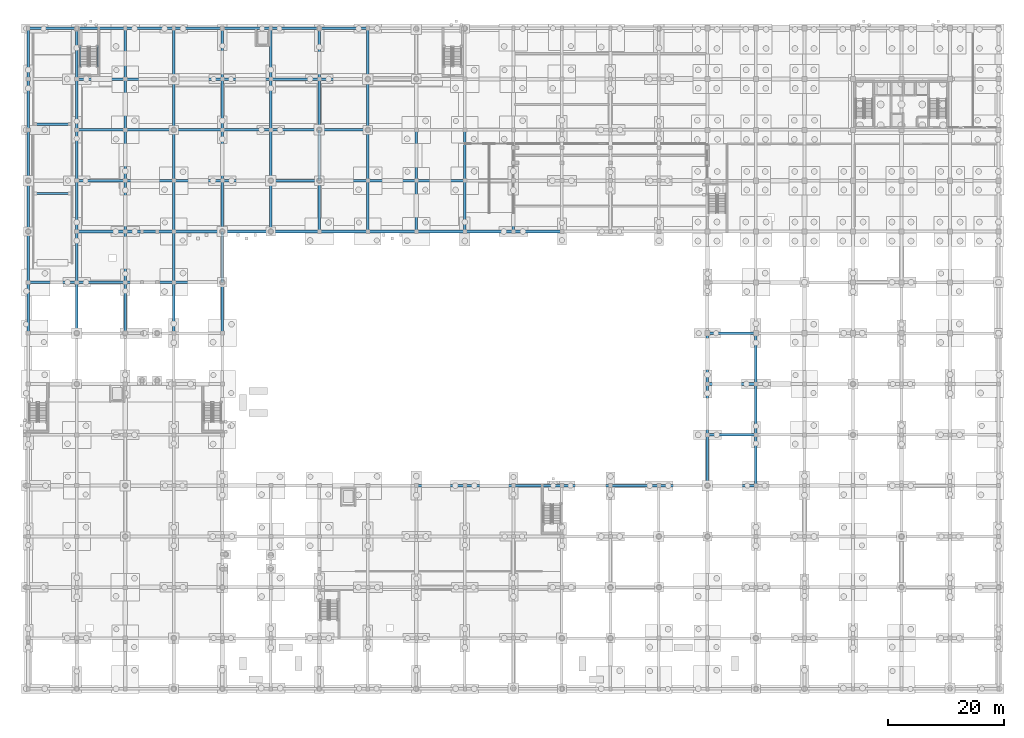
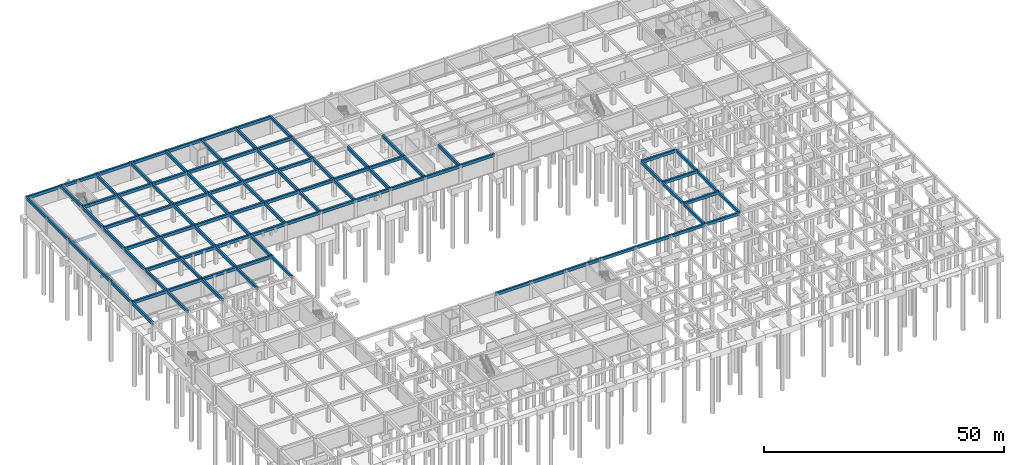
# One storey, part 16 of 41: 106 beams, 2 members.
"""IFC4 building model written with IfcOpenShell, lengths in metres."""

from ifc_helpers import new_model, si_unit, direction, frame, origin, origin_2d, place, context, subcontext, project, spatial, rectangle, hollow_rectangle, extrude, material, material_profile, profile_set, type_object, element, save


model = new_model("IFC4")

# Units and contexts
model_context = context("Model", 3, precision=1e-05, world=origin(), true_north=direction((0.0, 1.0)))
body_context = subcontext(model_context, "Body", "Model", "MODEL_VIEW")
ifc_project = project(units=[si_unit("LENGTHUNIT", "METRE"), si_unit("AREAUNIT", "SQUARE_METRE"), si_unit("VOLUMEUNIT", "CUBIC_METRE"), si_unit("PLANEANGLEUNIT", "RADIAN"), si_unit("MASSUNIT", "GRAM", prefix="KILO")], contexts=[model_context])

# Site, building, storey
site_placement = place(None, origin())
site = spatial("IfcSite", under=ifc_project, at=site_placement, CompositionType="ELEMENT")
building_placement = place(site_placement, origin())
building = spatial("IfcBuilding", under=site, at=building_placement, Name="Kemercrest Conservatory and Botanical Centre", CompositionType="ELEMENT")
storey_placement = place(building_placement, frame((0.0, 0.0, -4.5)))
storey = spatial("IfcBuildingStorey", under=building, at=storey_placement, Name="B1", CompositionType="ELEMENT", Elevation=-4.5)

# Beams
ifc_material_1 = material(Name="Concrete C40/50", Category="concrete")
ifc_material_profile_1 = material_profile(ifc_material_1, rectangle(XDim=0.39990234375, YDim=0.64990234375, at=origin_2d()), Name="RC 400x650")
ifc_profile_set_1 = profile_set([ifc_material_profile_1], Name="Concrete C40/50")
beam_type_1 = type_object("IfcBeamType", Name="BM-RC65", PredefinedType="BEAM", material=ifc_profile_set_1)
for number, where, z_axis, x_axis, name in (
    (1, (9.25, 93.800048828125, 0.875), (1.0, 0.0, 0.0), (0.0, 1.0, 0.0), "Vehicle ramp R1 transverse support beam 1"),
    (2, (9.25, 105.800048828125, 2.375), (1.0, 0.0, 0.0), (0.0, 1.0, 0.0), "Vehicle ramp R1 transverse support beam 2"),
):
    element("IfcBeam", number, at=place(storey_placement, frame(where, z_axis=z_axis, x_axis=x_axis)), inside=storey, type_object=beam_type_1, Name=name, PredefinedType="BEAM", context=body_context, shape_type="SweptSolid", body=[
        extrude(rectangle(XDim=0.39990234375, YDim=0.64990234375, at=origin_2d()), origin(), (0.0, 0.0, 1.0), 5.89990234375),
    ])
ifc_material_profile_2 = material_profile(ifc_material_1, rectangle(XDim=0.449951171875, YDim=0.75, at=origin_2d()), Name="RC 450x750")
ifc_profile_set_2 = profile_set([ifc_material_profile_2], Name="Concrete C40/50")
beam_type_2 = type_object("IfcBeamType", Name="BM-RC75", PredefinedType="BEAM", material=ifc_profile_set_2)
beam_1_placement = place(storey_placement, frame((75.199951171875, 43.199951171875, 4.125), z_axis=(1.0, 0.0, 0.0), x_axis=(0.0, 1.0, 0.0)))
element("IfcBeam", 3, at=beam_1_placement, inside=storey, type_object=beam_type_2, Name="B1 girder 09-10 on E", PredefinedType="BEAM", context=body_context, shape_type="SweptSolid", body=[
    extrude(rectangle(XDim=0.449951171875, YDim=0.75, at=origin_2d()), origin(), (0.0, 0.0, 1.0), 8.400146484375),
])
for number, where, z_axis, x_axis, name in (
    (4, (83.60009765625, 43.199951171875, 4.125), (1.0, 0.0, 0.0), (0.0, 1.0, 0.0), "B1 girder 10-11 on E"),
    (5, (92.0, 43.199951171875, 4.125), (1.0, 0.0, 0.0), (0.0, 1.0, 0.0), "B1 girder 11-12 on E"),
):
    element("IfcBeam", number, at=place(storey_placement, frame(where, z_axis=z_axis, x_axis=x_axis)), inside=storey, type_object=beam_type_2, Name=name, PredefinedType="BEAM", context=body_context, shape_type="SweptSolid", body=[
        extrude(rectangle(XDim=0.449951171875, YDim=0.75, at=origin_2d()), origin(), (0.0, 0.0, 1.0), 8.39990234375),
    ])
beam_2_placement = place(storey_placement, frame((100.39990234375, 43.199951171875, 4.125), z_axis=(1.0, 0.0, 0.0), x_axis=(0.0, 1.0, 0.0)))
element("IfcBeam", 6, at=beam_2_placement, inside=storey, type_object=beam_type_2, Name="B1 girder 12-13 on E", PredefinedType="BEAM", context=body_context, shape_type="SweptSolid", body=[
    extrude(rectangle(XDim=0.449951171875, YDim=0.75, at=origin_2d()), origin(), (0.0, 0.0, 1.0), 8.400146484375),
])
beam_3_placement = place(storey_placement, frame((108.800048828125, 43.199951171875, 4.125), z_axis=(1.0, 0.0, 0.0), x_axis=(0.0, 1.0, 0.0)))
element("IfcBeam", 7, at=beam_3_placement, inside=storey, type_object=beam_type_2, Name="B1 girder 13-14 on E", PredefinedType="BEAM", context=body_context, shape_type="SweptSolid", body=[
    extrude(rectangle(XDim=0.449951171875, YDim=0.75, at=origin_2d()), origin(), (0.0, 0.0, 1.0), 8.39990234375),
])
beam_4_placement = place(storey_placement, frame((117.199951171875, 43.199951171875, 4.125), z_axis=(1.0, 0.0, 0.0), x_axis=(0.0, 1.0, 0.0)))
element("IfcBeam", 8, at=beam_4_placement, inside=storey, type_object=beam_type_2, Name="B1 girder 14-15 on E", PredefinedType="BEAM", context=body_context, shape_type="SweptSolid", body=[
    extrude(rectangle(XDim=0.449951171875, YDim=0.75, at=origin_2d()), origin(), (0.0, 0.0, 1.0), 8.400146484375),
])
for number, where, z_axis, x_axis, name in (
    (9, (125.60009765625, 43.199951171875, 4.125), (1.0, 0.0, 0.0), (0.0, 1.0, 0.0), "B1 girder 15-16 on E"),
    (10, (125.60009765625, 52.0, 4.125), (1.0, 0.0, 0.0), (0.0, 1.0, 0.0), "B1 girder 15-16 on F"),
    (11, (125.60009765625, 60.800048828125, 4.125), (1.0, 0.0, 0.0), (0.0, 1.0, 0.0), "B1 girder 15-16 on G"),
    (12, (125.60009765625, 69.60009765625, 4.125), (1.0, 0.0, 0.0), (0.0, 1.0, 0.0), "B1 girder 15-16 on H"),
    (13, (8.0, 78.39990234375, 4.125), (1.0, 0.0, 0.0), (0.0, 1.0, 0.0), "B1 girder 01-02 on J"),
):
    element("IfcBeam", number, at=place(storey_placement, frame(where, z_axis=z_axis, x_axis=x_axis)), inside=storey, type_object=beam_type_2, Name=name, PredefinedType="BEAM", context=body_context, shape_type="SweptSolid", body=[
        extrude(rectangle(XDim=0.449951171875, YDim=0.75, at=origin_2d()), origin(), (0.0, 0.0, 1.0), 8.39990234375),
    ])
beam_5_placement = place(storey_placement, frame((16.39990234375, 78.39990234375, 4.125), z_axis=(1.0, 0.0, 0.0), x_axis=(0.0, 1.0, 0.0)))
element("IfcBeam", 14, at=beam_5_placement, inside=storey, type_object=beam_type_2, Name="B1 girder 02-03 on J", PredefinedType="BEAM", context=body_context, shape_type="SweptSolid", body=[
    extrude(rectangle(XDim=0.449951171875, YDim=0.75, at=origin_2d()), origin(), (0.0, 0.0, 1.0), 8.400146484375),
])
beam_6_placement = place(storey_placement, frame((24.800048828125, 78.39990234375, 4.125), z_axis=(1.0, 0.0, 0.0), x_axis=(0.0, 1.0, 0.0)))
element("IfcBeam", 15, at=beam_6_placement, inside=storey, type_object=beam_type_2, Name="B1 girder 03-04 on J", PredefinedType="BEAM", context=body_context, shape_type="SweptSolid", body=[
    extrude(rectangle(XDim=0.449951171875, YDim=0.75, at=origin_2d()), origin(), (0.0, 0.0, 1.0), 8.39990234375),
])
for number, where, z_axis, x_axis, name in (
    (16, (33.199951171875, 78.39990234375, 4.125), (1.0, 0.0, 0.0), (0.0, 1.0, 0.0), "B1 girder 04-05 on J"),
    (17, (16.39990234375, 87.199951171875, 4.125), (1.0, 0.0, 0.0), (0.0, 1.0, 0.0), "B1 girder 02-03 on K"),
):
    element("IfcBeam", number, at=place(storey_placement, frame(where, z_axis=z_axis, x_axis=x_axis)), inside=storey, type_object=beam_type_2, Name=name, PredefinedType="BEAM", context=body_context, shape_type="SweptSolid", body=[
        extrude(rectangle(XDim=0.449951171875, YDim=0.75, at=origin_2d()), origin(), (0.0, 0.0, 1.0), 8.400146484375),
    ])
beam_7_placement = place(storey_placement, frame((24.800048828125, 87.199951171875, 4.125), z_axis=(1.0, 0.0, 0.0), x_axis=(0.0, 1.0, 0.0)))
element("IfcBeam", 18, at=beam_7_placement, inside=storey, type_object=beam_type_2, Name="B1 girder 03-04 on K", PredefinedType="BEAM", context=body_context, shape_type="SweptSolid", body=[
    extrude(rectangle(XDim=0.449951171875, YDim=0.75, at=origin_2d()), origin(), (0.0, 0.0, 1.0), 8.39990234375),
])
beam_8_placement = place(storey_placement, frame((33.199951171875, 87.199951171875, 4.125), z_axis=(1.0, 0.0, 0.0), x_axis=(0.0, 1.0, 0.0)))
element("IfcBeam", 19, at=beam_8_placement, inside=storey, type_object=beam_type_2, Name="B1 girder 04-05 on K", PredefinedType="BEAM", context=body_context, shape_type="SweptSolid", body=[
    extrude(rectangle(XDim=0.449951171875, YDim=0.75, at=origin_2d()), origin(), (0.0, 0.0, 1.0), 8.400146484375),
])
for number, where, z_axis, x_axis, name in (
    (20, (41.60009765625, 87.199951171875, 4.125), (1.0, 0.0, 0.0), (0.0, 1.0, 0.0), "B1 girder 05-06 on K"),
    (21, (50.0, 87.199951171875, 4.125), (1.0, 0.0, 0.0), (0.0, 1.0, 0.0), "B1 girder 06-07 on K"),
):
    element("IfcBeam", number, at=place(storey_placement, frame(where, z_axis=z_axis, x_axis=x_axis)), inside=storey, type_object=beam_type_2, Name=name, PredefinedType="BEAM", context=body_context, shape_type="SweptSolid", body=[
        extrude(rectangle(XDim=0.449951171875, YDim=0.75, at=origin_2d()), origin(), (0.0, 0.0, 1.0), 8.39990234375),
    ])
beam_9_placement = place(storey_placement, frame((58.39990234375, 87.199951171875, 4.125), z_axis=(1.0, 0.0, 0.0), x_axis=(0.0, 1.0, 0.0)))
element("IfcBeam", 22, at=beam_9_placement, inside=storey, type_object=beam_type_2, Name="B1 girder 07-08 on K", PredefinedType="BEAM", context=body_context, shape_type="SweptSolid", body=[
    extrude(rectangle(XDim=0.449951171875, YDim=0.75, at=origin_2d()), origin(), (0.0, 0.0, 1.0), 8.400146484375),
])
beam_10_placement = place(storey_placement, frame((66.800048828125, 87.199951171875, 4.125), z_axis=(1.0, 0.0, 0.0), x_axis=(0.0, 1.0, 0.0)))
element("IfcBeam", 23, at=beam_10_placement, inside=storey, type_object=beam_type_2, Name="B1 girder 08-09 on K", PredefinedType="BEAM", context=body_context, shape_type="SweptSolid", body=[
    extrude(rectangle(XDim=0.449951171875, YDim=0.75, at=origin_2d()), origin(), (0.0, 0.0, 1.0), 8.39990234375),
])
beam_11_placement = place(storey_placement, frame((75.199951171875, 87.199951171875, 4.125), z_axis=(1.0, 0.0, 0.0), x_axis=(0.0, 1.0, 0.0)))
element("IfcBeam", 24, at=beam_11_placement, inside=storey, type_object=beam_type_2, Name="B1 girder 09-10 on K", PredefinedType="BEAM", context=body_context, shape_type="SweptSolid", body=[
    extrude(rectangle(XDim=0.449951171875, YDim=0.75, at=origin_2d()), origin(), (0.0, 0.0, 1.0), 8.400146484375),
])
for number, where, z_axis, x_axis, name in (
    (25, (83.60009765625, 87.199951171875, 4.125), (1.0, 0.0, 0.0), (0.0, 1.0, 0.0), "B1 girder 10-11 on K"),
    (26, (92.0, 87.199951171875, 4.125), (1.0, 0.0, 0.0), (0.0, 1.0, 0.0), "B1 girder 11-12 on K"),
):
    element("IfcBeam", number, at=place(storey_placement, frame(where, z_axis=z_axis, x_axis=x_axis)), inside=storey, type_object=beam_type_2, Name=name, PredefinedType="BEAM", context=body_context, shape_type="SweptSolid", body=[
        extrude(rectangle(XDim=0.449951171875, YDim=0.75, at=origin_2d()), origin(), (0.0, 0.0, 1.0), 8.39990234375),
    ])
beam_12_placement = place(storey_placement, frame((16.39990234375, 96.0, 4.125), z_axis=(1.0, 0.0, 0.0), x_axis=(0.0, 1.0, 0.0)))
element("IfcBeam", 27, at=beam_12_placement, inside=storey, type_object=beam_type_2, Name="B1 girder 02-03 on L", PredefinedType="BEAM", context=body_context, shape_type="SweptSolid", body=[
    extrude(rectangle(XDim=0.449951171875, YDim=0.75, at=origin_2d()), origin(), (0.0, 0.0, 1.0), 8.400146484375),
])
beam_13_placement = place(storey_placement, frame((24.800048828125, 96.0, 4.125), z_axis=(1.0, 0.0, 0.0), x_axis=(0.0, 1.0, 0.0)))
element("IfcBeam", 28, at=beam_13_placement, inside=storey, type_object=beam_type_2, Name="B1 girder 03-04 on L", PredefinedType="BEAM", context=body_context, shape_type="SweptSolid", body=[
    extrude(rectangle(XDim=0.449951171875, YDim=0.75, at=origin_2d()), origin(), (0.0, 0.0, 1.0), 8.39990234375),
])
beam_14_placement = place(storey_placement, frame((33.199951171875, 96.0, 4.125), z_axis=(1.0, 0.0, 0.0), x_axis=(0.0, 1.0, 0.0)))
element("IfcBeam", 29, at=beam_14_placement, inside=storey, type_object=beam_type_2, Name="B1 girder 04-05 on L", PredefinedType="BEAM", context=body_context, shape_type="SweptSolid", body=[
    extrude(rectangle(XDim=0.449951171875, YDim=0.75, at=origin_2d()), origin(), (0.0, 0.0, 1.0), 8.400146484375),
])
for number, where, z_axis, x_axis, name in (
    (30, (41.60009765625, 96.0, 4.125), (1.0, 0.0, 0.0), (0.0, 1.0, 0.0), "B1 girder 05-06 on L"),
    (31, (50.0, 96.0, 4.125), (1.0, 0.0, 0.0), (0.0, 1.0, 0.0), "B1 girder 06-07 on L"),
):
    element("IfcBeam", number, at=place(storey_placement, frame(where, z_axis=z_axis, x_axis=x_axis)), inside=storey, type_object=beam_type_2, Name=name, PredefinedType="BEAM", context=body_context, shape_type="SweptSolid", body=[
        extrude(rectangle(XDim=0.449951171875, YDim=0.75, at=origin_2d()), origin(), (0.0, 0.0, 1.0), 8.39990234375),
    ])
beam_15_placement = place(storey_placement, frame((58.39990234375, 96.0, 4.125), z_axis=(1.0, 0.0, 0.0), x_axis=(0.0, 1.0, 0.0)))
element("IfcBeam", 32, at=beam_15_placement, inside=storey, type_object=beam_type_2, Name="B1 girder 07-08 on L", PredefinedType="BEAM", context=body_context, shape_type="SweptSolid", body=[
    extrude(rectangle(XDim=0.449951171875, YDim=0.75, at=origin_2d()), origin(), (0.0, 0.0, 1.0), 8.400146484375),
])
beam_16_placement = place(storey_placement, frame((66.800048828125, 96.0, 4.125), z_axis=(1.0, 0.0, 0.0), x_axis=(0.0, 1.0, 0.0)))
element("IfcBeam", 33, at=beam_16_placement, inside=storey, type_object=beam_type_2, Name="B1 girder 08-09 on L", PredefinedType="BEAM", context=body_context, shape_type="SweptSolid", body=[
    extrude(rectangle(XDim=0.449951171875, YDim=0.75, at=origin_2d()), origin(), (0.0, 0.0, 1.0), 8.39990234375),
])
for number, where, z_axis, x_axis, name in (
    (34, (75.199951171875, 96.0, 4.125), (1.0, 0.0, 0.0), (0.0, 1.0, 0.0), "B1 girder 09-10 on L"),
    (35, (16.39990234375, 104.800048828125, 4.125), (1.0, 0.0, 0.0), (0.0, 1.0, 0.0), "B1 girder 02-03 on M"),
):
    element("IfcBeam", number, at=place(storey_placement, frame(where, z_axis=z_axis, x_axis=x_axis)), inside=storey, type_object=beam_type_2, Name=name, PredefinedType="BEAM", context=body_context, shape_type="SweptSolid", body=[
        extrude(rectangle(XDim=0.449951171875, YDim=0.75, at=origin_2d()), origin(), (0.0, 0.0, 1.0), 8.400146484375),
    ])
beam_17_placement = place(storey_placement, frame((24.800048828125, 104.800048828125, 4.125), z_axis=(1.0, 0.0, 0.0), x_axis=(0.0, 1.0, 0.0)))
element("IfcBeam", 36, at=beam_17_placement, inside=storey, type_object=beam_type_2, Name="B1 girder 03-04 on M", PredefinedType="BEAM", context=body_context, shape_type="SweptSolid", body=[
    extrude(rectangle(XDim=0.449951171875, YDim=0.75, at=origin_2d()), origin(), (0.0, 0.0, 1.0), 8.39990234375),
])
beam_18_placement = place(storey_placement, frame((33.199951171875, 104.800048828125, 4.125), z_axis=(1.0, 0.0, 0.0), x_axis=(0.0, 1.0, 0.0)))
element("IfcBeam", 37, at=beam_18_placement, inside=storey, type_object=beam_type_2, Name="B1 girder 04-05 on M", PredefinedType="BEAM", context=body_context, shape_type="SweptSolid", body=[
    extrude(rectangle(XDim=0.449951171875, YDim=0.75, at=origin_2d()), origin(), (0.0, 0.0, 1.0), 8.400146484375),
])
for number, where, z_axis, x_axis, name in (
    (38, (41.60009765625, 104.800048828125, 4.125), (1.0, 0.0, 0.0), (0.0, 1.0, 0.0), "B1 girder 05-06 on M"),
    (39, (50.0, 104.800048828125, 4.125), (1.0, 0.0, 0.0), (0.0, 1.0, 0.0), "B1 girder 06-07 on M"),
):
    element("IfcBeam", number, at=place(storey_placement, frame(where, z_axis=z_axis, x_axis=x_axis)), inside=storey, type_object=beam_type_2, Name=name, PredefinedType="BEAM", context=body_context, shape_type="SweptSolid", body=[
        extrude(rectangle(XDim=0.449951171875, YDim=0.75, at=origin_2d()), origin(), (0.0, 0.0, 1.0), 8.39990234375),
    ])
for number, where, z_axis, x_axis, name in (
    (40, (58.39990234375, 104.800048828125, 4.125), (1.0, 0.0, 0.0), (0.0, 1.0, 0.0), "B1 girder 07-08 on M"),
    (41, (16.39990234375, 113.60009765625, 4.125), (1.0, 0.0, 0.0), (0.0, 1.0, 0.0), "B1 girder 02-03 on N"),
):
    element("IfcBeam", number, at=place(storey_placement, frame(where, z_axis=z_axis, x_axis=x_axis)), inside=storey, type_object=beam_type_2, Name=name, PredefinedType="BEAM", context=body_context, shape_type="SweptSolid", body=[
        extrude(rectangle(XDim=0.449951171875, YDim=0.75, at=origin_2d()), origin(), (0.0, 0.0, 1.0), 8.400146484375),
    ])
beam_19_placement = place(storey_placement, frame((24.800048828125, 113.60009765625, 4.125), z_axis=(1.0, 0.0, 0.0), x_axis=(0.0, 1.0, 0.0)))
element("IfcBeam", 42, at=beam_19_placement, inside=storey, type_object=beam_type_2, Name="B1 girder 03-04 on N", PredefinedType="BEAM", context=body_context, shape_type="SweptSolid", body=[
    extrude(rectangle(XDim=0.449951171875, YDim=0.75, at=origin_2d()), origin(), (0.0, 0.0, 1.0), 8.39990234375),
])
beam_20_placement = place(storey_placement, frame((33.199951171875, 113.60009765625, 4.125), z_axis=(1.0, 0.0, 0.0), x_axis=(0.0, 1.0, 0.0)))
element("IfcBeam", 43, at=beam_20_placement, inside=storey, type_object=beam_type_2, Name="B1 girder 04-05 on N", PredefinedType="BEAM", context=body_context, shape_type="SweptSolid", body=[
    extrude(rectangle(XDim=0.449951171875, YDim=0.75, at=origin_2d()), origin(), (0.0, 0.0, 1.0), 8.400146484375),
])
for number, where, z_axis, x_axis, name in (
    (44, (41.60009765625, 113.60009765625, 4.125), (1.0, 0.0, 0.0), (0.0, 1.0, 0.0), "B1 girder 05-06 on N"),
    (45, (50.0, 113.60009765625, 4.125), (1.0, 0.0, 0.0), (0.0, 1.0, 0.0), "B1 girder 06-07 on N"),
):
    element("IfcBeam", number, at=place(storey_placement, frame(where, z_axis=z_axis, x_axis=x_axis)), inside=storey, type_object=beam_type_2, Name=name, PredefinedType="BEAM", context=body_context, shape_type="SweptSolid", body=[
        extrude(rectangle(XDim=0.449951171875, YDim=0.75, at=origin_2d()), origin(), (0.0, 0.0, 1.0), 8.39990234375),
    ])
beam_21_placement = place(storey_placement, frame((58.39990234375, 113.60009765625, 4.125), z_axis=(1.0, 0.0, 0.0), x_axis=(0.0, 1.0, 0.0)))
element("IfcBeam", 46, at=beam_21_placement, inside=storey, type_object=beam_type_2, Name="B1 girder 07-08 on N", PredefinedType="BEAM", context=body_context, shape_type="SweptSolid", body=[
    extrude(rectangle(XDim=0.449951171875, YDim=0.75, at=origin_2d()), origin(), (0.0, 0.0, 1.0), 8.400146484375),
])
beam_22_placement = place(storey_placement, frame((8.0, 122.39990234375, 4.125), z_axis=(1.0, 0.0, 0.0), x_axis=(0.0, 1.0, 0.0)))
element("IfcBeam", 47, at=beam_22_placement, inside=storey, type_object=beam_type_2, Name="B1 girder 01-02 on P", PredefinedType="BEAM", context=body_context, shape_type="SweptSolid", body=[
    extrude(rectangle(XDim=0.449951171875, YDim=0.75, at=origin_2d()), origin(), (0.0, 0.0, 1.0), 8.39990234375),
])
beam_23_placement = place(storey_placement, frame((16.39990234375, 122.39990234375, 4.125), z_axis=(1.0, 0.0, 0.0), x_axis=(0.0, 1.0, 0.0)))
element("IfcBeam", 48, at=beam_23_placement, inside=storey, type_object=beam_type_2, Name="B1 girder 02-03 on P", PredefinedType="BEAM", context=body_context, shape_type="SweptSolid", body=[
    extrude(rectangle(XDim=0.449951171875, YDim=0.75, at=origin_2d()), origin(), (0.0, 0.0, 1.0), 8.400146484375),
])
beam_24_placement = place(storey_placement, frame((24.800048828125, 122.39990234375, 4.125), z_axis=(1.0, 0.0, 0.0), x_axis=(0.0, 1.0, 0.0)))
element("IfcBeam", 49, at=beam_24_placement, inside=storey, type_object=beam_type_2, Name="B1 girder 03-04 on P", PredefinedType="BEAM", context=body_context, shape_type="SweptSolid", body=[
    extrude(rectangle(XDim=0.449951171875, YDim=0.75, at=origin_2d()), origin(), (0.0, 0.0, 1.0), 8.39990234375),
])
beam_25_placement = place(storey_placement, frame((33.199951171875, 122.39990234375, 4.125), z_axis=(1.0, 0.0, 0.0), x_axis=(0.0, 1.0, 0.0)))
element("IfcBeam", 50, at=beam_25_placement, inside=storey, type_object=beam_type_2, Name="B1 girder 04-05 on P", PredefinedType="BEAM", context=body_context, shape_type="SweptSolid", body=[
    extrude(rectangle(XDim=0.449951171875, YDim=0.75, at=origin_2d()), origin(), (0.0, 0.0, 1.0), 8.400146484375),
])
for number, where, z_axis, x_axis, name in (
    (51, (41.60009765625, 122.39990234375, 4.125), (1.0, 0.0, 0.0), (0.0, 1.0, 0.0), "B1 girder 05-06 on P"),
    (52, (50.0, 122.39990234375, 4.125), (1.0, 0.0, 0.0), (0.0, 1.0, 0.0), "B1 girder 06-07 on P"),
):
    element("IfcBeam", number, at=place(storey_placement, frame(where, z_axis=z_axis, x_axis=x_axis)), inside=storey, type_object=beam_type_2, Name=name, PredefinedType="BEAM", context=body_context, shape_type="SweptSolid", body=[
        extrude(rectangle(XDim=0.449951171875, YDim=0.75, at=origin_2d()), origin(), (0.0, 0.0, 1.0), 8.39990234375),
    ])
beam_26_placement = place(storey_placement, frame((58.39990234375, 122.39990234375, 4.125), z_axis=(1.0, 0.0, 0.0), x_axis=(0.0, 1.0, 0.0)))
element("IfcBeam", 53, at=beam_26_placement, inside=storey, type_object=beam_type_2, Name="B1 girder 07-08 on P", PredefinedType="BEAM", context=body_context, shape_type="SweptSolid", body=[
    extrude(rectangle(XDim=0.449951171875, YDim=0.75, at=origin_2d()), origin(), (0.0, 0.0, 1.0), 8.400146484375),
])
beam_27_placement = place(storey_placement, frame((8.0, 69.60009765625, 4.125), z_axis=(0.0, 1.0, 0.0), x_axis=(-1.0, 0.0, 0.0)))
element("IfcBeam", 54, at=beam_27_placement, inside=storey, type_object=beam_type_2, Name="B1 girder H-J on 01", PredefinedType="BEAM", context=body_context, shape_type="SweptSolid", body=[
    extrude(rectangle(XDim=0.449951171875, YDim=0.75, at=origin_2d()), origin(), (0.0, 0.0, 1.0), 8.7998046875),
])
for number, where, z_axis, x_axis, name in (
    (55, (8.0, 78.39990234375, 4.125), (0.0, 1.0, 0.0), (-1.0, 0.0, 0.0), "B1 girder J-K on 01"),
    (56, (8.0, 87.199951171875, 4.125), (0.0, 1.0, 0.0), (-1.0, 0.0, 0.0), "B1 girder K-L on 01"),
    (57, (8.0, 96.0, 4.125), (0.0, 1.0, 0.0), (-1.0, 0.0, 0.0), "B1 girder L-M on 01"),
    (58, (8.0, 104.800048828125, 4.125), (0.0, 1.0, 0.0), (-1.0, 0.0, 0.0), "B1 girder M-N on 01"),
):
    element("IfcBeam", number, at=place(storey_placement, frame(where, z_axis=z_axis, x_axis=x_axis)), inside=storey, type_object=beam_type_2, Name=name, PredefinedType="BEAM", context=body_context, shape_type="SweptSolid", body=[
        extrude(rectangle(XDim=0.449951171875, YDim=0.75, at=origin_2d()), origin(), (0.0, 0.0, 1.0), 8.800048828125),
    ])
for number, where, z_axis, x_axis, name in (
    (59, (8.0, 113.60009765625, 4.125), (0.0, 1.0, 0.0), (-1.0, 0.0, 0.0), "B1 girder N-P on 01"),
    (60, (16.39990234375, 69.60009765625, 4.125), (0.0, 1.0, 0.0), (-1.0, 0.0, 0.0), "B1 girder H-J on 02"),
):
    element("IfcBeam", number, at=place(storey_placement, frame(where, z_axis=z_axis, x_axis=x_axis)), inside=storey, type_object=beam_type_2, Name=name, PredefinedType="BEAM", context=body_context, shape_type="SweptSolid", body=[
        extrude(rectangle(XDim=0.449951171875, YDim=0.75, at=origin_2d()), origin(), (0.0, 0.0, 1.0), 8.7998046875),
    ])
for number, where, z_axis, x_axis, name in (
    (61, (16.39990234375, 78.39990234375, 4.125), (0.0, 1.0, 0.0), (-1.0, 0.0, 0.0), "B1 girder J-K on 02"),
    (62, (16.39990234375, 87.199951171875, 4.125), (0.0, 1.0, 0.0), (-1.0, 0.0, 0.0), "B1 girder K-L on 02"),
    (63, (16.39990234375, 96.0, 4.125), (0.0, 1.0, 0.0), (-1.0, 0.0, 0.0), "B1 girder L-M on 02"),
    (64, (16.39990234375, 104.800048828125, 4.125), (0.0, 1.0, 0.0), (-1.0, 0.0, 0.0), "B1 girder M-N on 02"),
):
    element("IfcBeam", number, at=place(storey_placement, frame(where, z_axis=z_axis, x_axis=x_axis)), inside=storey, type_object=beam_type_2, Name=name, PredefinedType="BEAM", context=body_context, shape_type="SweptSolid", body=[
        extrude(rectangle(XDim=0.449951171875, YDim=0.75, at=origin_2d()), origin(), (0.0, 0.0, 1.0), 8.800048828125),
    ])
for number, where, z_axis, x_axis, name in (
    (65, (16.39990234375, 113.60009765625, 4.125), (0.0, 1.0, 0.0), (-1.0, 0.0, 0.0), "B1 girder N-P on 02"),
    (66, (24.800048828125, 69.60009765625, 4.125), (0.0, 1.0, 0.0), (-1.0, 0.0, 0.0), "B1 girder H-J on 03"),
):
    element("IfcBeam", number, at=place(storey_placement, frame(where, z_axis=z_axis, x_axis=x_axis)), inside=storey, type_object=beam_type_2, Name=name, PredefinedType="BEAM", context=body_context, shape_type="SweptSolid", body=[
        extrude(rectangle(XDim=0.449951171875, YDim=0.75, at=origin_2d()), origin(), (0.0, 0.0, 1.0), 8.7998046875),
    ])
for number, where, z_axis, x_axis, name in (
    (67, (24.800048828125, 78.39990234375, 4.125), (0.0, 1.0, 0.0), (-1.0, 0.0, 0.0), "B1 girder J-K on 03"),
    (68, (24.800048828125, 87.199951171875, 4.125), (0.0, 1.0, 0.0), (-1.0, 0.0, 0.0), "B1 girder K-L on 03"),
    (69, (24.800048828125, 96.0, 4.125), (0.0, 1.0, 0.0), (-1.0, 0.0, 0.0), "B1 girder L-M on 03"),
    (70, (24.800048828125, 104.800048828125, 4.125), (0.0, 1.0, 0.0), (-1.0, 0.0, 0.0), "B1 girder M-N on 03"),
):
    element("IfcBeam", number, at=place(storey_placement, frame(where, z_axis=z_axis, x_axis=x_axis)), inside=storey, type_object=beam_type_2, Name=name, PredefinedType="BEAM", context=body_context, shape_type="SweptSolid", body=[
        extrude(rectangle(XDim=0.449951171875, YDim=0.75, at=origin_2d()), origin(), (0.0, 0.0, 1.0), 8.800048828125),
    ])
for number, where, z_axis, x_axis, name in (
    (71, (24.800048828125, 113.60009765625, 4.125), (0.0, 1.0, 0.0), (-1.0, 0.0, 0.0), "B1 girder N-P on 03"),
    (72, (33.199951171875, 69.60009765625, 4.125), (0.0, 1.0, 0.0), (-1.0, 0.0, 0.0), "B1 girder H-J on 04"),
):
    element("IfcBeam", number, at=place(storey_placement, frame(where, z_axis=z_axis, x_axis=x_axis)), inside=storey, type_object=beam_type_2, Name=name, PredefinedType="BEAM", context=body_context, shape_type="SweptSolid", body=[
        extrude(rectangle(XDim=0.449951171875, YDim=0.75, at=origin_2d()), origin(), (0.0, 0.0, 1.0), 8.7998046875),
    ])
for number, where, z_axis, x_axis, name in (
    (73, (33.199951171875, 78.39990234375, 4.125), (0.0, 1.0, 0.0), (-1.0, 0.0, 0.0), "B1 girder J-K on 04"),
    (74, (33.199951171875, 87.199951171875, 4.125), (0.0, 1.0, 0.0), (-1.0, 0.0, 0.0), "B1 girder K-L on 04"),
    (75, (33.199951171875, 96.0, 4.125), (0.0, 1.0, 0.0), (-1.0, 0.0, 0.0), "B1 girder L-M on 04"),
    (76, (33.199951171875, 104.800048828125, 4.125), (0.0, 1.0, 0.0), (-1.0, 0.0, 0.0), "B1 girder M-N on 04"),
):
    element("IfcBeam", number, at=place(storey_placement, frame(where, z_axis=z_axis, x_axis=x_axis)), inside=storey, type_object=beam_type_2, Name=name, PredefinedType="BEAM", context=body_context, shape_type="SweptSolid", body=[
        extrude(rectangle(XDim=0.449951171875, YDim=0.75, at=origin_2d()), origin(), (0.0, 0.0, 1.0), 8.800048828125),
    ])
for number, where, z_axis, x_axis, name in (
    (77, (33.199951171875, 113.60009765625, 4.125), (0.0, 1.0, 0.0), (-1.0, 0.0, 0.0), "B1 girder N-P on 04"),
    (78, (41.60009765625, 69.60009765625, 4.125), (0.0, 1.0, 0.0), (-1.0, 0.0, 0.0), "B1 girder H-J on 05"),
):
    element("IfcBeam", number, at=place(storey_placement, frame(where, z_axis=z_axis, x_axis=x_axis)), inside=storey, type_object=beam_type_2, Name=name, PredefinedType="BEAM", context=body_context, shape_type="SweptSolid", body=[
        extrude(rectangle(XDim=0.449951171875, YDim=0.75, at=origin_2d()), origin(), (0.0, 0.0, 1.0), 8.7998046875),
    ])
for number, where, z_axis, x_axis, name in (
    (79, (41.60009765625, 78.39990234375, 4.125), (0.0, 1.0, 0.0), (-1.0, 0.0, 0.0), "B1 girder J-K on 05"),
    (80, (41.60009765625, 87.199951171875, 4.125), (0.0, 1.0, 0.0), (-1.0, 0.0, 0.0), "B1 girder K-L on 05"),
    (81, (41.60009765625, 96.0, 4.125), (0.0, 1.0, 0.0), (-1.0, 0.0, 0.0), "B1 girder L-M on 05"),
    (82, (41.60009765625, 104.800048828125, 4.125), (0.0, 1.0, 0.0), (-1.0, 0.0, 0.0), "B1 girder M-N on 05"),
):
    element("IfcBeam", number, at=place(storey_placement, frame(where, z_axis=z_axis, x_axis=x_axis)), inside=storey, type_object=beam_type_2, Name=name, PredefinedType="BEAM", context=body_context, shape_type="SweptSolid", body=[
        extrude(rectangle(XDim=0.449951171875, YDim=0.75, at=origin_2d()), origin(), (0.0, 0.0, 1.0), 8.800048828125),
    ])
beam_28_placement = place(storey_placement, frame((41.60009765625, 113.60009765625, 4.125), z_axis=(0.0, 1.0, 0.0), x_axis=(-1.0, 0.0, 0.0)))
element("IfcBeam", 83, at=beam_28_placement, inside=storey, type_object=beam_type_2, Name="B1 girder N-P on 05", PredefinedType="BEAM", context=body_context, shape_type="SweptSolid", body=[
    extrude(rectangle(XDim=0.449951171875, YDim=0.75, at=origin_2d()), origin(), (0.0, 0.0, 1.0), 8.7998046875),
])
for number, where, z_axis, x_axis, name in (
    (84, (50.0, 87.199951171875, 4.125), (0.0, 1.0, 0.0), (-1.0, 0.0, 0.0), "B1 girder K-L on 06"),
    (85, (50.0, 96.0, 4.125), (0.0, 1.0, 0.0), (-1.0, 0.0, 0.0), "B1 girder L-M on 06"),
    (86, (50.0, 104.800048828125, 4.125), (0.0, 1.0, 0.0), (-1.0, 0.0, 0.0), "B1 girder M-N on 06"),
):
    element("IfcBeam", number, at=place(storey_placement, frame(where, z_axis=z_axis, x_axis=x_axis)), inside=storey, type_object=beam_type_2, Name=name, PredefinedType="BEAM", context=body_context, shape_type="SweptSolid", body=[
        extrude(rectangle(XDim=0.449951171875, YDim=0.75, at=origin_2d()), origin(), (0.0, 0.0, 1.0), 8.800048828125),
    ])
beam_29_placement = place(storey_placement, frame((50.0, 113.60009765625, 4.125), z_axis=(0.0, 1.0, 0.0), x_axis=(-1.0, 0.0, 0.0)))
element("IfcBeam", 87, at=beam_29_placement, inside=storey, type_object=beam_type_2, Name="B1 girder N-P on 06", PredefinedType="BEAM", context=body_context, shape_type="SweptSolid", body=[
    extrude(rectangle(XDim=0.449951171875, YDim=0.75, at=origin_2d()), origin(), (0.0, 0.0, 1.0), 8.7998046875),
])
for number, where, z_axis, x_axis, name in (
    (88, (58.39990234375, 87.199951171875, 4.125), (0.0, 1.0, 0.0), (-1.0, 0.0, 0.0), "B1 girder K-L on 07"),
    (89, (58.39990234375, 96.0, 4.125), (0.0, 1.0, 0.0), (-1.0, 0.0, 0.0), "B1 girder L-M on 07"),
    (90, (58.39990234375, 104.800048828125, 4.125), (0.0, 1.0, 0.0), (-1.0, 0.0, 0.0), "B1 girder M-N on 07"),
):
    element("IfcBeam", number, at=place(storey_placement, frame(where, z_axis=z_axis, x_axis=x_axis)), inside=storey, type_object=beam_type_2, Name=name, PredefinedType="BEAM", context=body_context, shape_type="SweptSolid", body=[
        extrude(rectangle(XDim=0.449951171875, YDim=0.75, at=origin_2d()), origin(), (0.0, 0.0, 1.0), 8.800048828125),
    ])
beam_30_placement = place(storey_placement, frame((58.39990234375, 113.60009765625, 4.125), z_axis=(0.0, 1.0, 0.0), x_axis=(-1.0, 0.0, 0.0)))
element("IfcBeam", 91, at=beam_30_placement, inside=storey, type_object=beam_type_2, Name="B1 girder N-P on 07", PredefinedType="BEAM", context=body_context, shape_type="SweptSolid", body=[
    extrude(rectangle(XDim=0.449951171875, YDim=0.75, at=origin_2d()), origin(), (0.0, 0.0, 1.0), 8.7998046875),
])
for number, where, z_axis, x_axis, name in (
    (92, (66.800048828125, 87.199951171875, 4.125), (0.0, 1.0, 0.0), (-1.0, 0.0, 0.0), "B1 girder K-L on 08"),
    (93, (66.800048828125, 96.0, 4.125), (0.0, 1.0, 0.0), (-1.0, 0.0, 0.0), "B1 girder L-M on 08"),
    (94, (66.800048828125, 104.800048828125, 4.125), (0.0, 1.0, 0.0), (-1.0, 0.0, 0.0), "B1 girder M-N on 08"),
):
    element("IfcBeam", number, at=place(storey_placement, frame(where, z_axis=z_axis, x_axis=x_axis)), inside=storey, type_object=beam_type_2, Name=name, PredefinedType="BEAM", context=body_context, shape_type="SweptSolid", body=[
        extrude(rectangle(XDim=0.449951171875, YDim=0.75, at=origin_2d()), origin(), (0.0, 0.0, 1.0), 8.800048828125),
    ])
beam_31_placement = place(storey_placement, frame((66.800048828125, 113.60009765625, 4.125), z_axis=(0.0, 1.0, 0.0), x_axis=(-1.0, 0.0, 0.0)))
element("IfcBeam", 95, at=beam_31_placement, inside=storey, type_object=beam_type_2, Name="B1 girder N-P on 08", PredefinedType="BEAM", context=body_context, shape_type="SweptSolid", body=[
    extrude(rectangle(XDim=0.449951171875, YDim=0.75, at=origin_2d()), origin(), (0.0, 0.0, 1.0), 8.7998046875),
])
for number, where, z_axis, x_axis, name in (
    (96, (75.199951171875, 87.199951171875, 4.125), (0.0, 1.0, 0.0), (-1.0, 0.0, 0.0), "B1 girder K-L on 09"),
    (97, (75.199951171875, 96.0, 4.125), (0.0, 1.0, 0.0), (-1.0, 0.0, 0.0), "B1 girder L-M on 09"),
    (98, (83.60009765625, 87.199951171875, 4.125), (0.0, 1.0, 0.0), (-1.0, 0.0, 0.0), "B1 girder K-L on 10"),
    (99, (83.60009765625, 96.0, 4.125), (0.0, 1.0, 0.0), (-1.0, 0.0, 0.0), "B1 girder L-M on 10"),
    (100, (92.0, 87.199951171875, 4.125), (0.0, 1.0, 0.0), (-1.0, 0.0, 0.0), "B1 girder K-L on 11"),
    (101, (125.60009765625, 43.199951171875, 4.125), (0.0, 1.0, 0.0), (-1.0, 0.0, 0.0), "B1 girder E-F on 15"),
    (102, (125.60009765625, 52.0, 4.125), (0.0, 1.0, 0.0), (-1.0, 0.0, 0.0), "B1 girder F-G on 15"),
    (103, (125.60009765625, 60.800048828125, 4.125), (0.0, 1.0, 0.0), (-1.0, 0.0, 0.0), "B1 girder G-H on 15"),
    (104, (134.0, 43.199951171875, 4.125), (0.0, 1.0, 0.0), (-1.0, 0.0, 0.0), "B1 girder E-F on 16"),
    (105, (134.0, 52.0, 4.125), (0.0, 1.0, 0.0), (-1.0, 0.0, 0.0), "B1 girder F-G on 16"),
    (106, (134.0, 60.800048828125, 4.125), (0.0, 1.0, 0.0), (-1.0, 0.0, 0.0), "B1 girder G-H on 16"),
):
    element("IfcBeam", number, at=place(storey_placement, frame(where, z_axis=z_axis, x_axis=x_axis)), inside=storey, type_object=beam_type_2, Name=name, PredefinedType="BEAM", context=body_context, shape_type="SweptSolid", body=[
        extrude(rectangle(XDim=0.449951171875, YDim=0.75, at=origin_2d()), origin(), (0.0, 0.0, 1.0), 8.800048828125),
    ])

# Members
ifc_material_2 = material(Name="Steel CSA G40.21 350W", Category="steel")
ifc_material_profile_3 = material_profile(ifc_material_2, hollow_rectangle(XDim=0.15234375, YDim=0.25390625, WallThickness=0.009521484375, InnerFilletRadius=0.009521484375, OuterFilletRadius=0.01904296875, at=origin_2d()), Name="HSS 254x152x9.5")
ifc_profile_set_3 = profile_set([ifc_material_profile_3], Name="Steel CSA G40.21 350W")
member_type = type_object("IfcMemberType", Name="SR-STR254", PredefinedType="STRINGER", material=ifc_profile_set_3)
for number, where, z_axis, x_axis, name in (
    (107, (20.010009765625, 115.760009765625, -0.10009765625), (0.0, 0.844750210241, 0.535160800412), (-1.0, 0.0, 0.0), "Stair ST-V3A steel stringer #21"),
    (108, (16.989990234375, 115.760009765625, 4.3798828125), (0.0, 0.844750210241, -0.535160800412), (-1.0, 0.0, 0.0), "Stair ST-V3A steel stringer #22"),
):
    element("IfcMember", number, at=place(storey_placement, frame(where, z_axis=z_axis, x_axis=x_axis)), inside=storey, type_object=member_type, Name=name, PredefinedType="STRINGER", context=body_context, shape_type="SweptSolid", body=[
        extrude(hollow_rectangle(XDim=0.15234375, YDim=0.25390625, WallThickness=0.009521484375, InnerFilletRadius=0.009521484375, OuterFilletRadius=0.01904296875, at=origin_2d()), origin(), (0.0, 0.0, 1.0), 4.1669921875),
    ])

save(model, "model.ifc")
